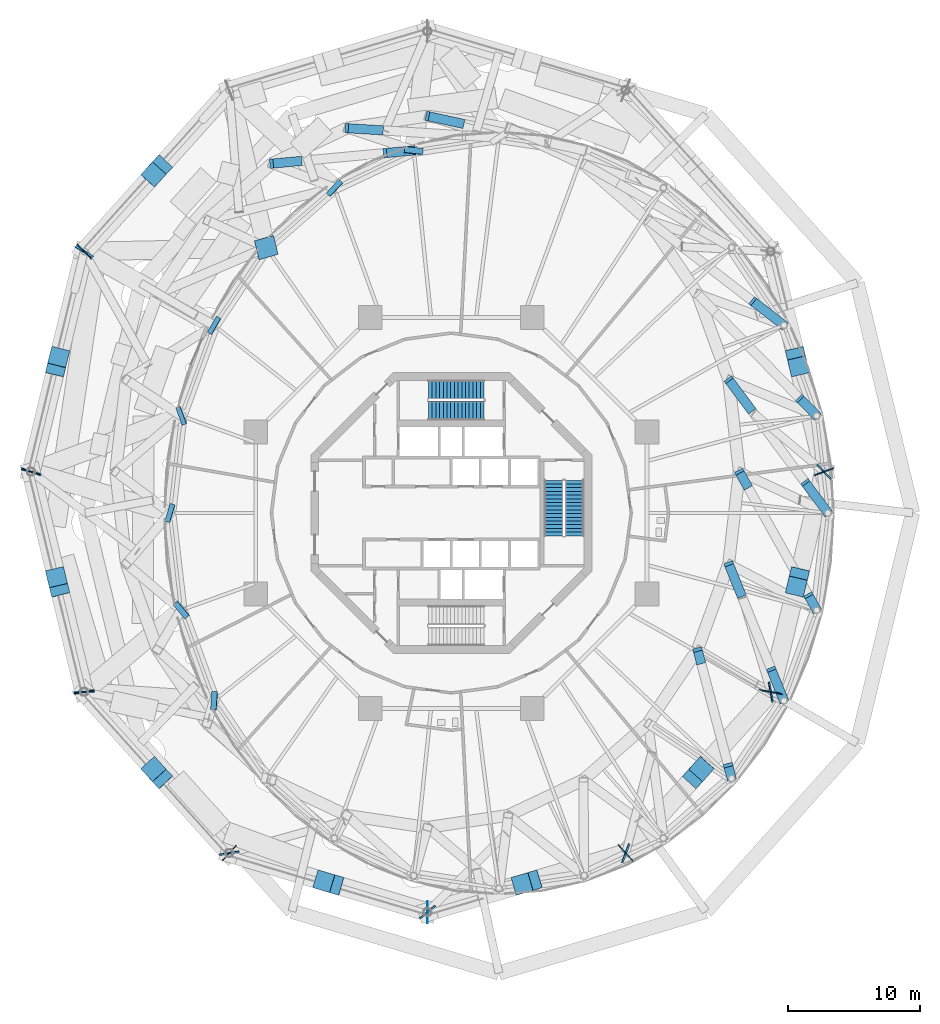
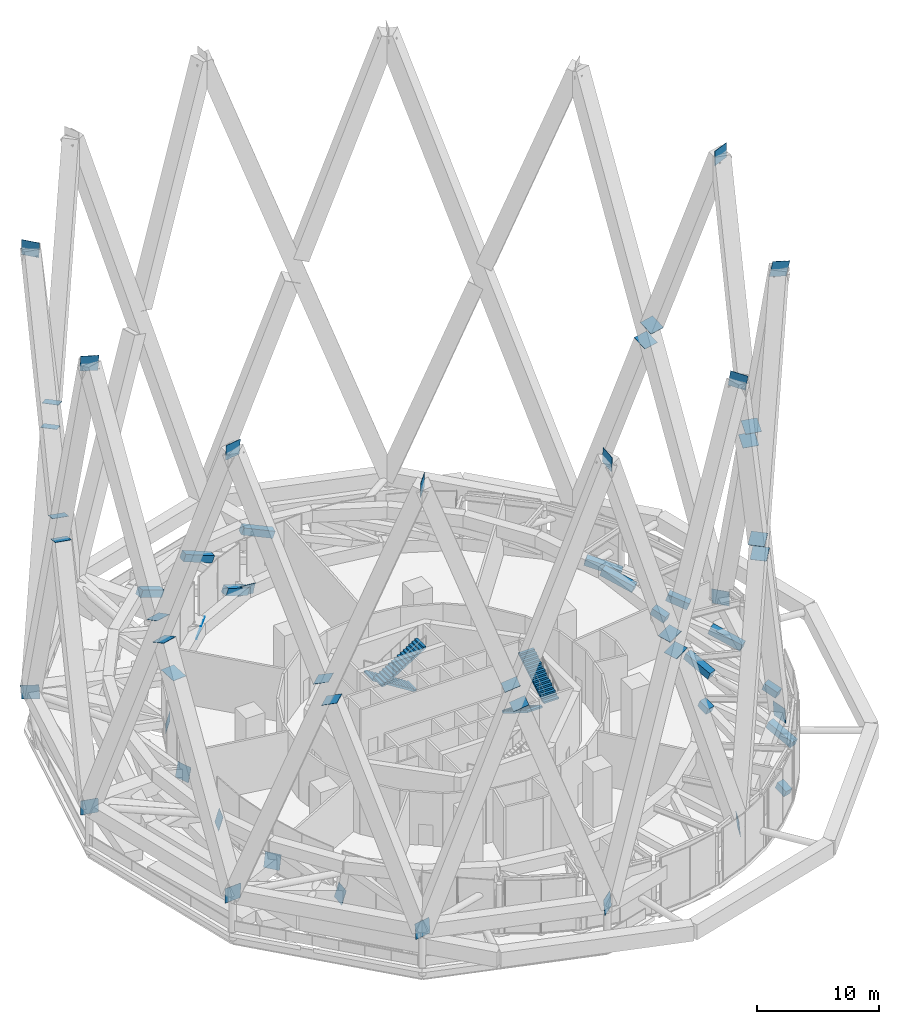
# One storey, part 52 of 60: 56 discrete accessories, 4 stair flights, 2 elements without a shape of their own.
"""IFC4 building model written with IfcOpenShell, lengths in metres."""

from ifc_helpers import new_model, si_unit, direction, frame, origin, origin_2d, place, context, subcontext, project, spatial, polyline, rectangle, outline, extrude, material, layer, layer_set, type_object, element, aggregate, save


model = new_model("IFC4")

# Units and contexts
model_context = context("Model", 3, precision=1e-05, world=origin(), true_north=direction((0.0, 1.0)))
body_context = subcontext(model_context, "Body", "Model", "MODEL_VIEW")
ifc_project = project(units=[si_unit("LENGTHUNIT", "METRE"), si_unit("AREAUNIT", "SQUARE_METRE"), si_unit("VOLUMEUNIT", "CUBIC_METRE"), si_unit("PLANEANGLEUNIT", "RADIAN"), si_unit("MASSUNIT", "GRAM", prefix="KILO")], contexts=[model_context])

# Site, building, storey
site_placement = place(None, origin())
site = spatial("IfcSite", under=ifc_project, at=site_placement, CompositionType="ELEMENT")
building_placement = place(site_placement, origin())
building = spatial("IfcBuilding", under=site, at=building_placement, Name="Nagisa Residences", CompositionType="ELEMENT")
storey_placement = place(building_placement, frame((0.0, 0.0, 206.60009765625)))
storey = spatial("IfcBuildingStorey", under=building, at=storey_placement, Name="L52", CompositionType="ELEMENT", Elevation=206.60009765625)

# Stair, stair flights
ifc_material_1 = material(Name="Concrete C60", Category="concrete")
stair_type = type_object("IfcStairType", Name="Exit stair", PredefinedType="HALF_TURN_STAIR", material=ifc_material_1)
stair_1_placement = place(storey_placement, origin())
stair_1 = element("IfcStair", 1, at=stair_1_placement, inside=storey, type_object=stair_type, Name="L52 Exit stair E", PredefinedType="HALF_TURN_STAIR")
ifc_material_2 = material(Name="Concrete C60", Category="concrete")
stair_flight_type = type_object("IfcStairFlightType", Name="Exit stair flight", PredefinedType="STRAIGHT", material=ifc_material_2)
stair_flight_1_placement = place(storey_placement, frame((7.737060546875, 2.47509765625, 0.0), z_axis=(0.0, 0.0, 1.0), x_axis=(0.0, -1.0, 0.0)))
stair_flight_1 = element("IfcStairFlight", 2, at=stair_flight_1_placement, type_object=stair_flight_type, Name="ST-E flight 1", NumberOfRisers=16, NumberOfTreads=15, PredefinedType="STRAIGHT", RiserHeight=0.175, TreadLength=0.28, context=body_context, shape_type="SweptSolid", body=[
    extrude(outline(polyline([(0.0, 0.0), (0.0, 0.175048828125), (0.280029296875, 0.175048828125), (0.280029296875, 0.35009765625), (0.56005859375, 0.35009765625), (0.56005859375, 0.52490234375), (0.840087890625, 0.52490234375), (0.840087890625, 0.699951171875), (1.1201171875, 0.699951171875), (1.1201171875, 0.875), (1.39990234375, 0.875), (1.39990234375, 1.050048828125), (1.679931640625, 1.050048828125), (1.679931640625, 1.22509765625), (1.9599609375, 1.22509765625), (1.9599609375, 1.39990234375), (2.239990234375, 1.39990234375), (2.239990234375, 1.574951171875), (2.52001953125, 1.574951171875), (2.52001953125, 1.75), (2.800048828125, 1.75), (2.800048828125, 1.925048828125), (3.080078125, 1.925048828125), (3.080078125, 2.10009765625), (3.360107421875, 2.10009765625), (3.360107421875, 2.27490234375), (3.639892578125, 2.27490234375), (3.639892578125, 2.449951171875), (3.919921875, 2.449951171875), (3.919921875, 2.625), (4.199951171875, 2.625), (4.199951171875, 2.800048828125), (4.199951171875, 2.4482421875), (0.28271484375, 0.0), (0.0, 0.0)])), frame((0.0, 0.71240234375, 0.0), z_axis=(0.0, -1.0, 0.0), x_axis=(1.0, 0.0, 0.0)), (0.0, 0.0, 1.0), 1.425048828125),
])
stair_flight_2_placement = place(storey_placement, frame((9.31201171875, -1.72509765625, 2.7998046875), z_axis=(0.0, 0.0, 1.0), x_axis=(0.0, 1.0, 0.0)))
stair_flight_2 = element("IfcStairFlight", 3, at=stair_flight_2_placement, type_object=stair_flight_type, Name="ST-E flight 2", NumberOfRisers=16, NumberOfTreads=15, PredefinedType="STRAIGHT", RiserHeight=0.175, TreadLength=0.28, context=body_context, shape_type="SweptSolid", body=[
    extrude(outline(polyline([(0.0, 0.0), (0.0, 0.175048828125), (0.280029296875, 0.175048828125), (0.280029296875, 0.35009765625), (0.56005859375, 0.35009765625), (0.56005859375, 0.52490234375), (0.840087890625, 0.52490234375), (0.840087890625, 0.699951171875), (1.1201171875, 0.699951171875), (1.1201171875, 0.875), (1.39990234375, 0.875), (1.39990234375, 1.050048828125), (1.679931640625, 1.050048828125), (1.679931640625, 1.22509765625), (1.9599609375, 1.22509765625), (1.9599609375, 1.39990234375), (2.239990234375, 1.39990234375), (2.239990234375, 1.574951171875), (2.52001953125, 1.574951171875), (2.52001953125, 1.75), (2.800048828125, 1.75), (2.800048828125, 1.925048828125), (3.080078125, 1.925048828125), (3.080078125, 2.10009765625), (3.360107421875, 2.10009765625), (3.360107421875, 2.27490234375), (3.639892578125, 2.27490234375), (3.639892578125, 2.449951171875), (3.919921875, 2.449951171875), (3.919921875, 2.625), (4.199951171875, 2.625), (4.199951171875, 2.800048828125), (4.199951171875, 2.4482421875), (0.28271484375, 0.0), (0.0, 0.0)])), frame((0.0, 0.71240234375, 0.0), z_axis=(0.0, -1.0, 0.0), x_axis=(1.0, 0.0, 0.0)), (0.0, 0.0, 1.0), 1.425048828125),
])
aggregate(stair_1, [stair_flight_1, stair_flight_2])

stair_2_placement = place(storey_placement, origin())
stair_2 = element("IfcStair", 4, at=stair_2_placement, inside=storey, type_object=stair_type, Name="L52 Exit stair N", PredefinedType="HALF_TURN_STAIR")
stair_flight_3_placement = place(storey_placement, frame((2.47509765625, 9.31201171875, 0.0), z_axis=(0.0, 0.0, 1.0), x_axis=(-1.0, 0.0, 0.0)))
stair_flight_3 = element("IfcStairFlight", 5, at=stair_flight_3_placement, type_object=stair_flight_type, Name="ST-N flight 1", NumberOfRisers=16, NumberOfTreads=15, PredefinedType="STRAIGHT", RiserHeight=0.175, TreadLength=0.28, context=body_context, shape_type="SweptSolid", body=[
    extrude(outline(polyline([(0.0, 0.0), (0.0, 0.175048828125), (0.280029296875, 0.175048828125), (0.280029296875, 0.35009765625), (0.56005859375, 0.35009765625), (0.56005859375, 0.52490234375), (0.840087890625, 0.52490234375), (0.840087890625, 0.699951171875), (1.1201171875, 0.699951171875), (1.1201171875, 0.875), (1.39990234375, 0.875), (1.39990234375, 1.050048828125), (1.679931640625, 1.050048828125), (1.679931640625, 1.22509765625), (1.9599609375, 1.22509765625), (1.9599609375, 1.39990234375), (2.239990234375, 1.39990234375), (2.239990234375, 1.574951171875), (2.52001953125, 1.574951171875), (2.52001953125, 1.75), (2.800048828125, 1.75), (2.800048828125, 1.925048828125), (3.080078125, 1.925048828125), (3.080078125, 2.10009765625), (3.360107421875, 2.10009765625), (3.360107421875, 2.27490234375), (3.639892578125, 2.27490234375), (3.639892578125, 2.449951171875), (3.919921875, 2.449951171875), (3.919921875, 2.625), (4.199951171875, 2.625), (4.199951171875, 2.800048828125), (4.199951171875, 2.4482421875), (0.28271484375, 0.0), (0.0, 0.0)])), frame((0.0, 0.71240234375, 0.0), z_axis=(0.0, -1.0, 0.0), x_axis=(1.0, 0.0, 0.0)), (0.0, 0.0, 1.0), 1.425048828125),
])
stair_flight_4_placement = place(storey_placement, frame((-1.72509765625, 7.737060546875, 2.7998046875), z_axis=(0.0, 0.0, 1.0), x_axis=(1.0, 0.0, 0.0)))
stair_flight_4 = element("IfcStairFlight", 6, at=stair_flight_4_placement, type_object=stair_flight_type, Name="ST-N flight 2", NumberOfRisers=16, NumberOfTreads=15, PredefinedType="STRAIGHT", RiserHeight=0.175, TreadLength=0.28, context=body_context, shape_type="SweptSolid", body=[
    extrude(outline(polyline([(0.0, 0.0), (0.0, 0.175048828125), (0.280029296875, 0.175048828125), (0.280029296875, 0.35009765625), (0.56005859375, 0.35009765625), (0.56005859375, 0.52490234375), (0.840087890625, 0.52490234375), (0.840087890625, 0.699951171875), (1.1201171875, 0.699951171875), (1.1201171875, 0.875), (1.39990234375, 0.875), (1.39990234375, 1.050048828125), (1.679931640625, 1.050048828125), (1.679931640625, 1.22509765625), (1.9599609375, 1.22509765625), (1.9599609375, 1.39990234375), (2.239990234375, 1.39990234375), (2.239990234375, 1.574951171875), (2.52001953125, 1.574951171875), (2.52001953125, 1.75), (2.800048828125, 1.75), (2.800048828125, 1.925048828125), (3.080078125, 1.925048828125), (3.080078125, 2.10009765625), (3.360107421875, 2.10009765625), (3.360107421875, 2.27490234375), (3.639892578125, 2.27490234375), (3.639892578125, 2.449951171875), (3.919921875, 2.449951171875), (3.919921875, 2.625), (4.199951171875, 2.625), (4.199951171875, 2.800048828125), (4.199951171875, 2.4482421875), (0.28271484375, 0.0), (0.0, 0.0)])), frame((0.0, 0.71240234375, 0.0), z_axis=(0.0, -1.0, 0.0), x_axis=(1.0, 0.0, 0.0)), (0.0, 0.0, 1.0), 1.425048828125),
])
aggregate(stair_2, [stair_flight_3, stair_flight_4])

# Discrete accessories
ifc_material_3 = material(Name="Steel ASTM A572 Gr 50", Category="steel")
discrete_accessory_type_1 = type_object("IfcDiscreteAccessoryType", Name="Belt node casting BX 700x700x40", PredefinedType="BRACKET", material=ifc_material_3)
discrete_accessory_1_placement = place(storey_placement, frame((28.47509765625, 0.0, 0.599853515625), z_axis=(-0.567454749402, 0.761645371452, 0.312876070557), x_axis=(-0.801905891555, -0.597450367051, 0.0)))
element("IfcDiscreteAccessory", 7, at=discrete_accessory_1_placement, inside=storey, type_object=discrete_accessory_type_1, Name="Belt node 4E01", PredefinedType="BRACKET", context=body_context, shape_type="SweptSolid", body=[
    extrude(rectangle(XDim=0.699951171875, YDim=0.699951171875, at=origin_2d()), origin(), (0.0, 0.0, 1.0), 3.0361328125),
])
discrete_accessory_2_placement = place(storey_placement, frame((22.689697265625, 7.764892578125, 3.789794921875), z_axis=(-0.567440471838, 0.761626207914, 0.312948606546), x_axis=(-0.801905891555, -0.597450367051, 0.0)))
element("IfcDiscreteAccessory", 8, at=discrete_accessory_2_placement, inside=storey, type_object=discrete_accessory_type_1, Name="Belt node 4E01", PredefinedType="BRACKET", context=body_context, shape_type="SweptSolid", body=[
    extrude(rectangle(XDim=0.699951171875, YDim=0.699951171875, at=origin_2d()), origin(), (0.0, 0.0, 1.0), 3.036376953125),
])
discrete_accessory_3_placement = place(storey_placement, frame((27.62744140625, 7.343994140625, 0.599853515625), z_axis=(-0.665742830712, 0.680669232769, 0.305738252296), x_axis=(-0.714901878272, -0.699224788207, 0.0)))
element("IfcDiscreteAccessory", 9, at=discrete_accessory_3_placement, inside=storey, type_object=discrete_accessory_type_1, Name="Belt node 4E02", PredefinedType="BRACKET", context=body_context, shape_type="SweptSolid", body=[
    extrude(rectangle(XDim=0.699951171875, YDim=0.699951171875, at=origin_2d()), origin(), (0.0, 0.0, 1.0), 1.929931640625),
])
discrete_accessory_4_placement = place(storey_placement, frame((25.142333984375, 14.1875, 0.599853515625), z_axis=(-0.753765787052, 0.582767563876, 0.303675986479), x_axis=(-0.611652636684, -0.791126445037, 0.0)))
element("IfcDiscreteAccessory", 10, at=discrete_accessory_4_placement, inside=storey, type_object=discrete_accessory_type_1, Name="Belt node 4E03", PredefinedType="BRACKET", context=body_context, shape_type="SweptSolid", body=[
    extrude(rectangle(XDim=0.699951171875, YDim=0.699951171875, at=origin_2d()), origin(), (0.0, 0.0, 1.0), 3.128173828125),
])
discrete_accessory_5_placement = place(storey_placement, frame((0.844970703125, 29.4267578125, 3.81494140625), z_axis=(-0.924274630578, 0.203043531547, 0.323248714718), x_axis=(-0.214562526042, -0.9767102551, 0.0)))
element("IfcDiscreteAccessory", 11, at=discrete_accessory_5_placement, inside=storey, type_object=discrete_accessory_type_1, Name="Belt node 4E06", PredefinedType="BRACKET", context=body_context, shape_type="SweptSolid", body=[
    extrude(rectangle(XDim=0.699951171875, YDim=0.699951171875, at=origin_2d()), origin(), (0.0, 0.0, 1.0), 2.86181640625),
])
discrete_accessory_6_placement = place(storey_placement, frame((-5.261474609375, 28.927001953125, 3.789794921875), z_axis=(-0.939251287322, 0.058567431553, 0.338196503863), x_axis=(-0.062234571641, -0.998061550253, 0.0)))
element("IfcDiscreteAccessory", 12, at=discrete_accessory_6_placement, inside=storey, type_object=discrete_accessory_type_1, Name="Belt node 4E07", PredefinedType="BRACKET", context=body_context, shape_type="SweptSolid", body=[
    extrude(rectangle(XDim=0.699951171875, YDim=0.699951171875, at=origin_2d()), origin(), (0.0, 0.0, 1.0), 2.8095703125),
])
discrete_accessory_7_placement = place(storey_placement, frame((-2.838134765625, 27.408203125, 0.599853515625), z_axis=(-0.92963338044, -0.086806270825, 0.358115134164), x_axis=(0.092972441732, -0.995668682383, 0.0)))
element("IfcDiscreteAccessory", 13, at=discrete_accessory_7_placement, inside=storey, type_object=discrete_accessory_type_1, Name="Belt node 4E08", PredefinedType="BRACKET", context=body_context, shape_type="SweptSolid", body=[
    extrude(rectangle(XDim=0.699951171875, YDim=0.699951171875, at=origin_2d()), origin(), (0.0, 0.0, 1.0), 2.33154296875),
])
discrete_accessory_8_placement = place(storey_placement, frame((-11.430419921875, 26.606201171875, 3.909912109375), z_axis=(-0.929619197964, -0.086799571572, 0.35815357202), x_axis=(0.092966734661, -0.995669215275, 0.0)))
element("IfcDiscreteAccessory", 14, at=discrete_accessory_8_placement, inside=storey, type_object=discrete_accessory_type_1, Name="Belt node 4E08", PredefinedType="BRACKET", context=body_context, shape_type="SweptSolid", body=[
    extrude(rectangle(XDim=0.699951171875, YDim=0.699951171875, at=origin_2d()), origin(), (0.0, 0.0, 1.0), 2.317626953125),
])
discrete_accessory_9_placement = place(storey_placement, frame((21.189208984375, -20.064208984375, 0.599853515625), z_axis=(-0.236528257653, 0.894133598181, 0.380236100252), x_axis=(-0.966746448678, -0.255736786497, 0.0)))
element("IfcDiscreteAccessory", 15, at=discrete_accessory_9_placement, inside=storey, type_object=discrete_accessory_type_1, Name="Belt node 4E22", PredefinedType="BRACKET", context=body_context, shape_type="SweptSolid", body=[
    extrude(rectangle(XDim=0.699951171875, YDim=0.699951171875, at=origin_2d()), origin(), (0.0, 0.0, 1.0), 1.117919921875),
])
discrete_accessory_10_placement = place(storey_placement, frame((18.861328125, -11.26806640625, 4.33984375), z_axis=(-0.236682951212, 0.894058246096, 0.380317016702), x_axis=(-0.966699751347, -0.255913248475, 0.0)))
element("IfcDiscreteAccessory", 16, at=discrete_accessory_10_placement, inside=storey, type_object=discrete_accessory_type_1, Name="Belt node 4E22", PredefinedType="BRACKET", context=body_context, shape_type="SweptSolid", body=[
    extrude(rectangle(XDim=0.699951171875, YDim=0.699951171875, at=origin_2d()), origin(), (0.0, 0.0, 1.0), 1.05224609375),
])
discrete_accessory_11_placement = place(storey_placement, frame((25.142333984375, -14.1875, 0.599853515625), z_axis=(-0.350841572382, 0.86941474257, 0.347891069862), x_axis=(-0.927341143032, -0.374217055251, 0.0)))
element("IfcDiscreteAccessory", 17, at=discrete_accessory_11_placement, inside=storey, type_object=discrete_accessory_type_1, Name="Belt node 4E23", PredefinedType="BRACKET", context=body_context, shape_type="SweptSolid", body=[
    extrude(rectangle(XDim=0.699951171875, YDim=0.699951171875, at=origin_2d()), origin(), (0.0, 0.0, 1.0), 2.730712890625),
])
discrete_accessory_12_placement = place(storey_placement, frame((21.925048828125, -6.2158203125, 3.789794921875), z_axis=(-0.350936332862, 0.86933858966, 0.34798578535), x_axis=(-0.927294683862, -0.374332164369, 0.0)))
element("IfcDiscreteAccessory", 18, at=discrete_accessory_12_placement, inside=storey, type_object=discrete_accessory_type_1, Name="Belt node 4E23", PredefinedType="BRACKET", context=body_context, shape_type="SweptSolid", body=[
    extrude(rectangle(XDim=0.699951171875, YDim=0.699951171875, at=origin_2d()), origin(), (0.0, 0.0, 1.0), 2.73046875),
])
for number, where, z_axis, x_axis, name in (
    (19, (27.62744140625, -7.343994140625, 0.599853515625), (-0.461790511785, 0.824741022598, 0.326422684367), (-0.872535087171, -0.488551452413, 0.0), "Belt node 4E24"),
    (20, (22.399658203125, 1.9931640625, 4.294921875), (-0.461790511785, 0.824741022598, 0.326422684367), (-0.872535087171, -0.488551452413, 0.0), "Belt node 4E24"),
):
    element("IfcDiscreteAccessory", number, at=place(storey_placement, frame(where, z_axis=z_axis, x_axis=x_axis)), inside=storey, type_object=discrete_accessory_type_1, Name=name, PredefinedType="BRACKET", context=body_context, shape_type="SweptSolid", body=[
        extrude(rectangle(XDim=0.699951171875, YDim=0.699951171875, at=origin_2d()), origin(), (0.0, 0.0, 1.0), 1.363525390625),
    ])
ifc_material_4 = material(Name="Steel ASTM A572 Gr 50", Category="steel")
ifc_layer = layer(ifc_material_4, 0.030029296875)
ifc_layer_set = layer_set([ifc_layer], Name="Node plate")
discrete_accessory_type_2 = type_object("IfcDiscreteAccessoryType", Name="Node plate", PredefinedType="ANCHORPLATE", material=ifc_layer_set)
for number, where, z_axis, x_axis, name in (
    (21, (28.1591796875, 3.107421875, 3.69873046875), (0.725281099755, 0.684534970555, 0.073343032559), (-0.68682614631, 0.726768806555, 0.008771919001), "Node plate ST5B01"),
    (22, (-27.746826171875, 19.775390625, 3.70166015625), (-0.526579106022, -0.842526569636, -0.11341703822), (0.842776599507, -0.534864949949, 0.060391130481), "Node plate ST5B06"),
    (23, (-31.77392578125, 3.103271484375, 3.69873046875), (0.26086186029, 0.961928109821, 0.081519331341), (0.964050567076, -0.263996903179, 0.030201642867), "Node plate ST5B07"),
):
    element("IfcDiscreteAccessory", number, at=place(storey_placement, frame(where, z_axis=z_axis, x_axis=x_axis)), inside=storey, type_object=discrete_accessory_type_2, Name=name, PredefinedType="ANCHORPLATE", context=body_context, shape_type="SweptSolid", body=[
        extrude(rectangle(XDim=1.52001953125, YDim=1.52001953125, at=origin_2d()), origin(), (0.0, 0.0, 1.0), 0.030029296875),
    ])
discrete_accessory_13_placement = place(storey_placement, frame((-27.754150390625, -13.542236328125, 3.69921875), z_axis=(-0.040899881022, 0.997957096947, 0.049079857227), x_axis=(0.999103868984, 0.040312554872, 0.01289794175)))
element("IfcDiscreteAccessory", 24, at=discrete_accessory_13_placement, inside=storey, type_object=discrete_accessory_type_2, Name="Node plate ST5B08", PredefinedType="ANCHORPLATE", context=body_context, shape_type="SweptSolid", body=[
    extrude(rectangle(XDim=1.52001953125, YDim=1.52001953125, at=origin_2d()), origin(), (0.0, 0.0, 1.0), 0.02978515625),
])
for number, where, z_axis, x_axis, name in (
    (25, (-16.782470703125, -25.72705078125, 3.701171875), (-0.162537178282, 0.983349928609, -0.081268589141), (0.986459390316, 0.163772970127, 0.0087341579), "Node plate ST5B09"),
    (26, (-1.79052734375, -30.183837890625, 3.701171875), (-0.632476323839, 0.770323727753, -0.081086708184), (0.772422136784, 0.63505717255, 0.008150472304), "Node plate ST5B10"),
    (27, (13.198974609375, -25.717529296875, 3.701171875), (-0.933571962942, 0.349074733969, -0.081180170691), (0.349611018957, 0.936860995981, 0.007975564717), "Node plate ST5B11"),
):
    element("IfcDiscreteAccessory", number, at=place(storey_placement, frame(where, z_axis=z_axis, x_axis=x_axis)), inside=storey, type_object=discrete_accessory_type_2, Name=name, PredefinedType="ANCHORPLATE", context=body_context, shape_type="SweptSolid", body=[
        extrude(rectangle(XDim=1.52001953125, YDim=1.52001953125, at=origin_2d()), origin(), (0.0, 0.0, 1.0), 0.030029296875),
    ])
discrete_accessory_14_placement = place(storey_placement, frame((24.14013671875, -13.530029296875, 3.69873046875), z_axis=(0.980940996641, 0.179839182717, 0.073570574748), x_axis=(-0.180929925902, 0.983460244405, 0.008385081256)))
element("IfcDiscreteAccessory", 28, at=discrete_accessory_14_placement, inside=storey, type_object=discrete_accessory_type_2, Name="Node plate ST5B12", PredefinedType="ANCHORPLATE", context=body_context, shape_type="SweptSolid", body=[
    extrude(rectangle(XDim=1.52001953125, YDim=1.52001953125, at=origin_2d()), origin(), (0.0, 0.0, 1.0), 0.02978515625),
])
discrete_accessory_15_placement = place(storey_placement, frame((-2.838134765625, 27.408203125, 0.599853515625), z_axis=(-0.105357316802, -0.940111442229, -0.324176359389), x_axis=(0.993778813557, -0.111371763588, 0.0)))
element("IfcDiscreteAccessory", 29, at=discrete_accessory_15_placement, inside=storey, type_object=discrete_accessory_type_2, Name="Node plate OB501", PredefinedType="ANCHORPLATE", context=body_context, shape_type="SweptSolid", body=[
    extrude(rectangle(XDim=1.39990234375, YDim=1.39990234375, at=origin_2d()), origin(), (0.0, 0.0, 1.0), 0.030029296875),
])
discrete_accessory_16_placement = place(storey_placement, frame((-8.83740234375, 24.573486328125, 0.599853515625), z_axis=(0.703313262502, -0.654244895351, -0.278054080524), x_axis=(0.681103942477, 0.732186738163, 0.0)))
element("IfcDiscreteAccessory", 30, at=discrete_accessory_16_placement, inside=storey, type_object=discrete_accessory_type_2, Name="Node plate OB503", PredefinedType="ANCHORPLATE", context=body_context, shape_type="SweptSolid", body=[
    extrude(rectangle(XDim=1.39990234375, YDim=1.39990234375, at=origin_2d()), origin(), (0.0, 0.0, 1.0), 0.02978515625),
])
discrete_accessory_17_placement = place(storey_placement, frame((-13.99267578125, 20.067138671875, 0.585693359375), z_axis=(0.220498180898, -0.19599838302, 0.955492117223), x_axis=(-0.227982979766, 0.942111518207, 0.24586510163)))
element("IfcDiscreteAccessory", 31, at=discrete_accessory_17_placement, inside=storey, type_object=discrete_accessory_type_2, Name="Node plate OB504", PredefinedType="ANCHORPLATE", context=body_context, shape_type="SweptSolid", body=[
    extrude(rectangle(XDim=1.52001953125, YDim=1.52001953125, at=origin_2d()), origin(), (0.0, 0.0, 1.0), 0.02978515625),
])
for number, where, z_axis, x_axis, name in (
    (32, (-17.9423828125, 14.1875, 0.599853515625), (0.837813812008, -0.479912766102, -0.26029166975), (0.497045922111, 0.867724236905, 0.0), "Node plate OB505"),
    (33, (-21.27490234375, 0.0, 0.599853515625), (0.922210871747, -0.27747937734, -0.269318219183), (0.288125247053, 0.957592732852, 0.0), "Node plate OB507"),
    (34, (-20.427490234375, 7.343994140625, 0.599853515625), (0.908200989511, 0.340575371067, -0.24326812219), (-0.351123441588, 0.936329177569, 0.0), "Node plate OB508"),
    (35, (-20.427490234375, -7.343994140625, 0.599853515625), (0.73074193989, 0.608951616575, -0.308535485731), (-0.640184399664, 0.768221279597, 0.0), "Node plate OB509"),
    (36, (-17.9423828125, -14.1875, 0.599853515625), (0.951439647303, -0.06505570238, -0.300882623506), (0.068216787808, 0.997670521696, 0.0), "Node plate OB510"),
    (37, (26.076171875, 11.7978515625, 24.993896484375), (0.081180170691, -0.349074733969, 0.933571962942), (0.974008027039, 0.22651349466, 0.0), "Node plate CD5002A"),
):
    element("IfcDiscreteAccessory", number, at=place(storey_placement, frame(where, z_axis=z_axis, x_axis=x_axis)), inside=storey, type_object=discrete_accessory_type_2, Name=name, PredefinedType="ANCHORPLATE", context=body_context, shape_type="SweptSolid", body=[
        extrude(rectangle(XDim=1.39990234375, YDim=1.39990234375, at=origin_2d()), origin(), (0.0, 0.0, 1.0), 0.030029296875),
    ])
discrete_accessory_18_placement = place(storey_placement, frame((26.24853515625, 11.08251953125, 26.90576171875), z_axis=(-0.081799762045, 0.351738976793, -0.932517287311), x_axis=(-0.974008027039, -0.22651349466, 0.0)))
element("IfcDiscreteAccessory", 38, at=discrete_accessory_18_placement, inside=storey, type_object=discrete_accessory_type_2, Name="Node plate CD5002B", PredefinedType="ANCHORPLATE", context=body_context, shape_type="SweptSolid", body=[
    extrude(rectangle(XDim=1.39990234375, YDim=1.39990234375, at=origin_2d()), origin(), (0.0, 0.0, 1.0), 0.02978515625),
])
discrete_accessory_19_placement = place(storey_placement, frame((28.17529296875, 3.103759765625, 48.199462890625), z_axis=(-0.350044965397, 0.936166767923, 0.032562322363), x_axis=(0.032132407904, 0.046741337979, -0.998390081925)))
element("IfcDiscreteAccessory", 39, at=discrete_accessory_19_placement, inside=storey, type_object=discrete_accessory_type_2, Name="Node plate CD5002B", PredefinedType="ANCHORPLATE", context=body_context, shape_type="SweptSolid", body=[
    extrude(rectangle(XDim=1.52001953125, YDim=1.52001953125, at=origin_2d()), origin(), (0.0, 0.0, 1.0), 0.030029296875),
])
discrete_accessory_20_placement = place(storey_placement, frame((-27.743896484375, 19.77294921875, 48.2001953125), z_axis=(-0.72702131284, -0.68617741886, -0.024506336388), x_axis=(-0.002098257261, 0.037911685338, -0.999278890716)))
element("IfcDiscreteAccessory", 40, at=discrete_accessory_20_placement, inside=storey, type_object=discrete_accessory_type_2, Name="Node plate CD5009", PredefinedType="ANCHORPLATE", context=body_context, shape_type="SweptSolid", body=[
    extrude(rectangle(XDim=1.52001953125, YDim=1.52001953125, at=origin_2d()), origin(), (0.0, 0.0, 1.0), 0.02978515625),
])
discrete_accessory_21_placement = place(storey_placement, frame((-22.514892578125, 25.5830078125, 24.956298828125), z_axis=(0.236076837128, 0.2604985789, 0.936166767923), x_axis=(-0.740986951436, 0.671519424739, 0.0)))
element("IfcDiscreteAccessory", 41, at=discrete_accessory_21_placement, inside=storey, type_object=discrete_accessory_type_2, Name="Node plate CD5010A", PredefinedType="ANCHORPLATE", context=body_context, shape_type="SweptSolid", body=[
    extrude(rectangle(XDim=1.39990234375, YDim=1.39990234375, at=origin_2d()), origin(), (0.0, 0.0, 1.0), 0.030029296875),
])
discrete_accessory_22_placement = place(storey_placement, frame((-22.02490234375, 26.127197265625, 26.943603515625), z_axis=(-0.234773563875, -0.250964844142, -0.939094255499), x_axis=(0.730271413519, -0.683157128776, 0.0)))
element("IfcDiscreteAccessory", 42, at=discrete_accessory_22_placement, inside=storey, type_object=discrete_accessory_type_2, Name="Node plate CD5010B", PredefinedType="ANCHORPLATE", context=body_context, shape_type="SweptSolid", body=[
    extrude(rectangle(XDim=1.39990234375, YDim=1.39990234375, at=origin_2d()), origin(), (0.0, 0.0, 1.0), 0.0302734375),
])
discrete_accessory_23_placement = place(storey_placement, frame((-31.775390625, 3.103759765625, 48.199462890625), z_axis=(0.357157446591, 0.933479689953, 0.032468858781), x_axis=(-0.031809274445, 0.046897222197, -0.998393119272)))
element("IfcDiscreteAccessory", 43, at=discrete_accessory_23_placement, inside=storey, type_object=discrete_accessory_type_2, Name="Node plate CD5011", PredefinedType="ANCHORPLATE", context=body_context, shape_type="SweptSolid", body=[
    extrude(rectangle(XDim=1.52001953125, YDim=1.52001953125, at=origin_2d()), origin(), (0.0, 0.0, 1.0), 0.030029296875),
])
discrete_accessory_24_placement = place(storey_placement, frame((-29.8486328125, 11.08251953125, 24.993896484375), z_axis=(0.081180170691, 0.349074733969, 0.933571962942), x_axis=(-0.974008027039, 0.22651349466, 0.0)))
element("IfcDiscreteAccessory", 44, at=discrete_accessory_24_placement, inside=storey, type_object=discrete_accessory_type_2, Name="Node plate CD5012A", PredefinedType="ANCHORPLATE", context=body_context, shape_type="SweptSolid", body=[
    extrude(rectangle(XDim=1.39990234375, YDim=1.39990234375, at=origin_2d()), origin(), (0.0, 0.0, 1.0), 0.030029296875),
])
discrete_accessory_25_placement = place(storey_placement, frame((-29.676025390625, 11.7978515625, 26.90576171875), z_axis=(-0.089916587179, -0.35149211352, -0.931862812587), x_axis=(0.968802704478, -0.247833249983, 0.0)))
element("IfcDiscreteAccessory", 45, at=discrete_accessory_25_placement, inside=storey, type_object=discrete_accessory_type_2, Name="Node plate CD5012B", PredefinedType="ANCHORPLATE", context=body_context, shape_type="SweptSolid", body=[
    extrude(rectangle(XDim=1.39990234375, YDim=1.39990234375, at=origin_2d()), origin(), (0.0, 0.0, 1.0), 0.02978515625),
])
discrete_accessory_26_placement = place(storey_placement, frame((-27.752197265625, -13.5419921875, 48.19921875), z_axis=(-0.178737782015, 0.98305780108, 0.040622223185), x_axis=(-0.027976800386, 0.036192365125, -0.998953157734)))
element("IfcDiscreteAccessory", 46, at=discrete_accessory_26_placement, inside=storey, type_object=discrete_accessory_type_2, Name="Node plate CD5013", PredefinedType="ANCHORPLATE", context=body_context, shape_type="SweptSolid", body=[
    extrude(rectangle(XDim=1.52001953125, YDim=1.52001953125, at=origin_2d()), origin(), (0.0, 0.0, 1.0), 0.030029296875),
])
discrete_accessory_27_placement = place(storey_placement, frame((-29.676025390625, -5.5625, 24.993896484375), z_axis=(-0.089236459878, 0.34883343407, 0.932926626002), x_axis=(-0.968802704478, -0.247833249983, 0.0)))
element("IfcDiscreteAccessory", 47, at=discrete_accessory_27_placement, inside=storey, type_object=discrete_accessory_type_2, Name="Node plate CD5014A", PredefinedType="ANCHORPLATE", context=body_context, shape_type="SweptSolid", body=[
    extrude(rectangle(XDim=1.39990234375, YDim=1.39990234375, at=origin_2d()), origin(), (0.0, 0.0, 1.0), 0.030029296875),
])
discrete_accessory_28_placement = place(storey_placement, frame((-29.8486328125, -4.84716796875, 26.90576171875), z_axis=(0.081799762045, -0.351738976793, -0.932517287311), x_axis=(0.974008027039, 0.22651349466, 0.0)))
element("IfcDiscreteAccessory", 48, at=discrete_accessory_28_placement, inside=storey, type_object=discrete_accessory_type_2, Name="Node plate CD5014B", PredefinedType="ANCHORPLATE", context=body_context, shape_type="SweptSolid", body=[
    extrude(rectangle(XDim=1.39990234375, YDim=1.39990234375, at=origin_2d()), origin(), (0.0, 0.0, 1.0), 0.02978515625),
])
discrete_accessory_29_placement = place(storey_placement, frame((-16.796142578125, -25.7021484375, 48.2001953125), z_axis=(0.738617871948, -0.673684432656, -0.024350039735), x_axis=(0.005927718042, 0.042610179618, -0.999074188813)))
element("IfcDiscreteAccessory", 49, at=discrete_accessory_29_placement, inside=storey, type_object=discrete_accessory_type_2, Name="Node plate CD5015", PredefinedType="ANCHORPLATE", context=body_context, shape_type="SweptSolid", body=[
    extrude(rectangle(XDim=1.52001953125, YDim=1.52001953125, at=origin_2d()), origin(), (0.0, 0.0, 1.0), 0.030029296875),
])
discrete_accessory_30_placement = place(storey_placement, frame((-22.02490234375, -19.891845703125, 24.956298828125), z_axis=(-0.236571190123, 0.252886444614, 0.938127133247), x_axis=(-0.730271413519, -0.683157128776, 0.0)))
element("IfcDiscreteAccessory", 50, at=discrete_accessory_30_placement, inside=storey, type_object=discrete_accessory_type_2, Name="Node plate CD5016A", PredefinedType="ANCHORPLATE", context=body_context, shape_type="SweptSolid", body=[
    extrude(rectangle(XDim=1.39990234375, YDim=1.39990234375, at=origin_2d()), origin(), (0.0, 0.0, 1.0), 0.030029296875),
])
discrete_accessory_31_placement = place(storey_placement, frame((-22.514892578125, -19.34765625, 26.943603515625), z_axis=(0.234290371826, -0.258527306843, -0.937161487304), x_axis=(0.740986951436, 0.671519424739, 0.0)))
element("IfcDiscreteAccessory", 51, at=discrete_accessory_31_placement, inside=storey, type_object=discrete_accessory_type_2, Name="Node plate CD5016B", PredefinedType="ANCHORPLATE", context=body_context, shape_type="SweptSolid", body=[
    extrude(rectangle(XDim=1.39990234375, YDim=1.39990234375, at=origin_2d()), origin(), (0.0, 0.0, 1.0), 0.0302734375),
])
discrete_accessory_32_placement = place(storey_placement, frame((-1.81494140625, -30.17236328125, 48.199951171875), z_axis=(1.0, 0.0, 0.0), x_axis=(0.0, 0.099725418335, -0.995014995333)))
element("IfcDiscreteAccessory", 52, at=discrete_accessory_32_placement, inside=storey, type_object=discrete_accessory_type_2, Name="Node plate CD5017", PredefinedType="ANCHORPLATE", context=body_context, shape_type="SweptSolid", body=[
    extrude(rectangle(XDim=1.52001953125, YDim=1.52001953125, at=origin_2d()), origin(), (0.0, 0.0, 1.0), 0.030029296875),
])
for number, where, z_axis, x_axis, name in (
    (53, (-8.943359375, -28.046142578125, 24.912841796875), (-0.317398519386, 0.089522659314, 0.944057134585), (-0.271460165022, -0.962449675986, 0.0), "Node plate CD5018A"),
    (54, (-9.6416015625, -27.83837890625, 26.98681640625), (0.317157035884, -0.097586780272, -0.943338875964), (0.294085848838, 0.955779008722, 0.0), "Node plate CD5018B"),
):
    element("IfcDiscreteAccessory", number, at=place(storey_placement, frame(where, z_axis=z_axis, x_axis=x_axis)), inside=storey, type_object=discrete_accessory_type_2, Name=name, PredefinedType="ANCHORPLATE", context=body_context, shape_type="SweptSolid", body=[
        extrude(rectangle(XDim=1.39990234375, YDim=1.39990234375, at=origin_2d()), origin(), (0.0, 0.0, 1.0), 0.030029296875),
    ])
discrete_accessory_33_placement = place(storey_placement, frame((13.173828125, -25.722412109375, 48.199462890625), z_axis=(0.738617871948, 0.673684432656, 0.024350039735), x_axis=(-0.085134670245, 0.129050424921, -0.987976758709)))
element("IfcDiscreteAccessory", 55, at=discrete_accessory_33_placement, inside=storey, type_object=discrete_accessory_type_2, Name="Node plate CD5019", PredefinedType="ANCHORPLATE", context=body_context, shape_type="SweptSolid", body=[
    extrude(rectangle(XDim=1.52001953125, YDim=1.52001953125, at=origin_2d()), origin(), (0.0, 0.0, 1.0), 0.030029296875),
])
for number, where, z_axis, x_axis, name in (
    (56, (6.041748046875, -27.83837890625, 24.912841796875), (-0.317157035884, -0.097586780272, 0.943338875964), (0.294085848838, -0.955779008722, 0.0), "Node plate CD5020A"),
    (57, (5.34326171875, -28.046142578125, 26.98681640625), (0.317398519386, 0.089522659314, -0.944057134585), (-0.271460165022, 0.962449675986, 0.0), "Node plate CD5020B"),
):
    element("IfcDiscreteAccessory", number, at=place(storey_placement, frame(where, z_axis=z_axis, x_axis=x_axis)), inside=storey, type_object=discrete_accessory_type_2, Name=name, PredefinedType="ANCHORPLATE", context=body_context, shape_type="SweptSolid", body=[
        extrude(rectangle(XDim=1.39990234375, YDim=1.39990234375, at=origin_2d()), origin(), (0.0, 0.0, 1.0), 0.030029296875),
    ])
discrete_accessory_34_placement = place(storey_placement, frame((24.157470703125, -13.512451171875, 48.200439453125), z_axis=(-0.178737782015, -0.98305780108, -0.040622223185), x_axis=(-0.181742176193, 0.073564307906, -0.98059067607)))
element("IfcDiscreteAccessory", 58, at=discrete_accessory_34_placement, inside=storey, type_object=discrete_accessory_type_2, Name="Node plate CD5021", PredefinedType="ANCHORPLATE", context=body_context, shape_type="SweptSolid", body=[
    extrude(rectangle(XDim=1.52001953125, YDim=1.52001953125, at=origin_2d()), origin(), (0.0, 0.0, 1.0), 0.030029296875),
])
for number, where, z_axis, x_axis, name in (
    (59, (18.914794921875, -19.34765625, 24.956298828125), (-0.228367975897, -0.260991972454, 0.937939901006), (0.752576694707, -0.658504607869, 0.0), "Node plate CD5022A"),
    (60, (18.425048828125, -19.891845703125, 26.943603515625), (0.227102519228, 0.251434932003, -0.940853293946), (-0.742102642751, 0.670286257969, 0.0), "Node plate CD5022B"),
    (61, (26.24853515625, -4.84716796875, 24.993896484375), (-0.081180170691, -0.349074733969, 0.933571962942), (0.974008027039, -0.22651349466, 0.0), "Node plate CD5024A"),
):
    element("IfcDiscreteAccessory", number, at=place(storey_placement, frame(where, z_axis=z_axis, x_axis=x_axis)), inside=storey, type_object=discrete_accessory_type_2, Name=name, PredefinedType="ANCHORPLATE", context=body_context, shape_type="SweptSolid", body=[
        extrude(rectangle(XDim=1.39990234375, YDim=1.39990234375, at=origin_2d()), origin(), (0.0, 0.0, 1.0), 0.030029296875),
    ])
discrete_accessory_35_placement = place(storey_placement, frame((26.076171875, -5.5625, 26.90576171875), z_axis=(0.081799762045, 0.351738976793, -0.932517287311), x_axis=(-0.974008027039, 0.22651349466, 0.0)))
element("IfcDiscreteAccessory", 62, at=discrete_accessory_35_placement, inside=storey, type_object=discrete_accessory_type_2, Name="Node plate CD5024B", PredefinedType="ANCHORPLATE", context=body_context, shape_type="SweptSolid", body=[
    extrude(rectangle(XDim=1.39990234375, YDim=1.39990234375, at=origin_2d()), origin(), (0.0, 0.0, 1.0), 0.02978515625),
])

save(model, "model.ifc")
